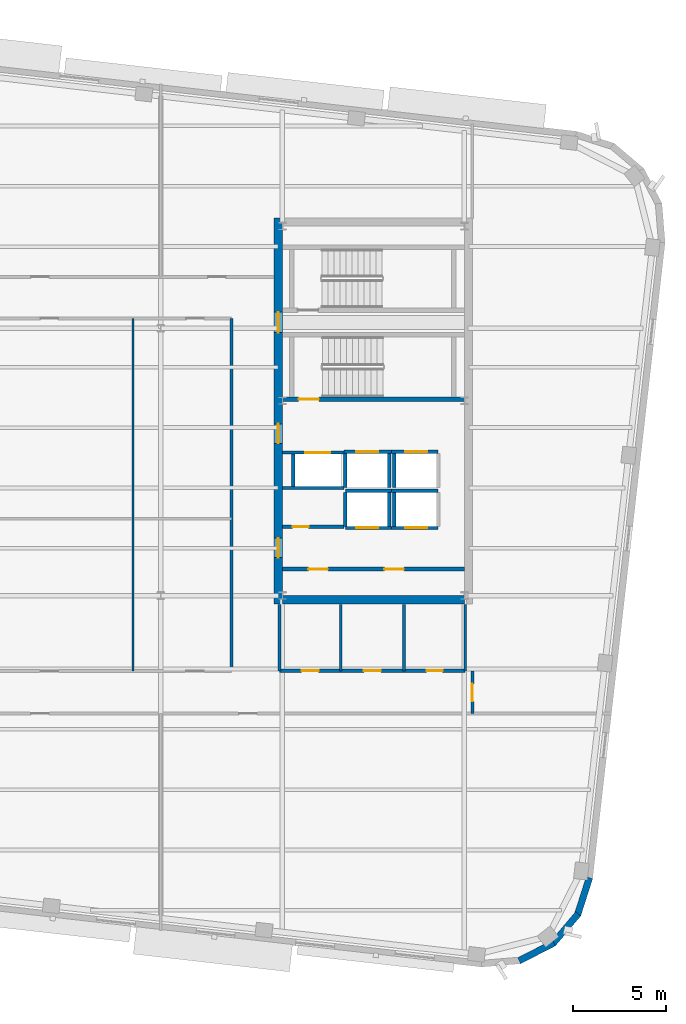
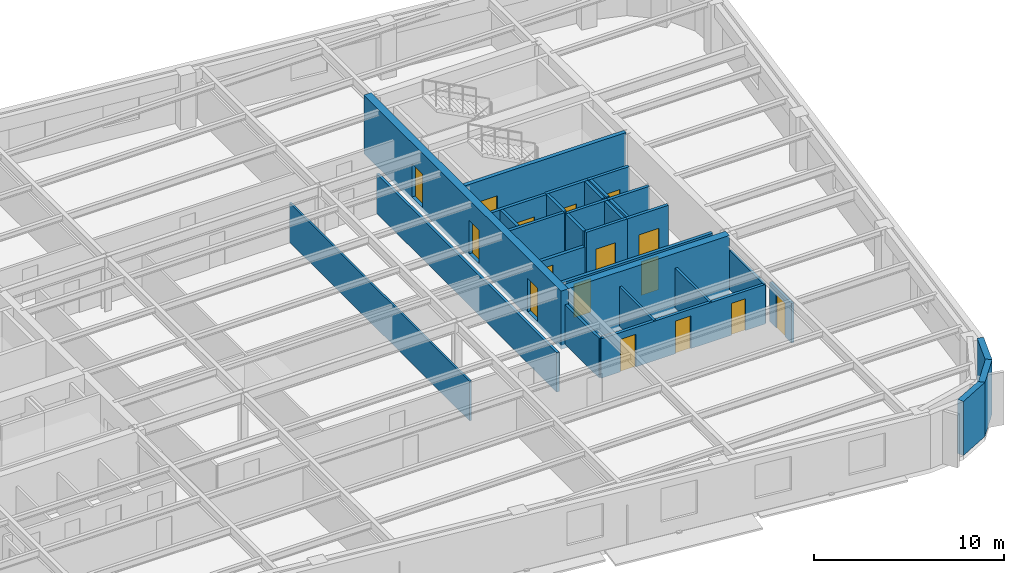
# One storey, part 7 of 14: 31 walls, 16 doors, 16 openings.
"""IFC4 building model written with IfcOpenShell, lengths in metres."""

from ifc_helpers import new_model, si_unit, direction, frame, frame_2d, origin, place, context, subcontext, project, spatial, rectangle, extrude, material, layer, layer_set, type_object, element, fill, save


model = new_model("IFC4")

# Units and contexts
model_context = context("Model", 3, precision=1e-05, world=origin(), true_north=direction((0.0, 1.0)))
body_context = subcontext(model_context, "Body", "Model", "MODEL_VIEW")
ifc_project = project(units=[si_unit("LENGTHUNIT", "METRE"), si_unit("AREAUNIT", "SQUARE_METRE"), si_unit("VOLUMEUNIT", "CUBIC_METRE"), si_unit("PLANEANGLEUNIT", "RADIAN"), si_unit("MASSUNIT", "GRAM", prefix="KILO")], contexts=[model_context])

# Site, building, storey
site_placement = place(None, origin())
site = spatial("IfcSite", under=ifc_project, at=site_placement, CompositionType="ELEMENT")
building_placement = place(site_placement, origin())
building = spatial("IfcBuilding", under=site, at=building_placement, Name="Kolvaren Arena Tower", CompositionType="ELEMENT")
storey_placement = place(building_placement, frame((0.0, 0.0, 247.199951171875)))
storey = spatial("IfcBuildingStorey", under=building, at=storey_placement, Name="L60", CompositionType="ELEMENT", Elevation=247.199951171875)

# Wall
ifc_material_1 = material(Name="Gypsum board acoustic assembly", Category="gypsum")
ifc_layer_1 = layer(ifc_material_1, 0.159912109375)
ifc_layer_set_1 = layer_set([ifc_layer_1], Name="Gypsum board acoustic assembly")
wall_type_1 = type_object("IfcWallType", Name="CORR-160", PredefinedType="PARTITIONING", material=ifc_layer_set_1)
wall_1_placement = place(storey_placement, frame((47.820068359375, 15.3798828125, 0.0), z_axis=(0.0, 0.0, 1.0), x_axis=(0.0, 1.0, 0.0)))
element("IfcWall", 1, at=wall_1_placement, inside=storey, type_object=wall_type_1, Name="Interior Partition Wall (L60)", PredefinedType="PARTITIONING", context=body_context, shape_type="SweptSolid", body=[
    extrude(rectangle(XDim=19.0, YDim=0.159912109375, at=frame_2d((9.5, 0.0))), origin(), (0.0, 0.0, 1.0), 2.5400390625),
])

# Wall, opening, door
wall_2_placement = place(storey_placement, frame((60.780029296875, 13.10009765625, 0.0), z_axis=(0.0, 0.0, 1.0), x_axis=(0.0, 1.0, 0.0)))
wall_2 = element("IfcWall", 2, at=wall_2_placement, inside=storey, type_object=wall_type_1, Name="Interior Partition Wall (L60)", PredefinedType="PARTITIONING", context=body_context, shape_type="SweptSolid", body=[
    extrude(rectangle(XDim=2.2998046875, YDim=0.159912109375, at=frame_2d((1.14990234375, 0.0))), origin(), (0.0, 0.0, 1.0), 2.5400390625),
])
opening_1_placement = place(wall_2_placement, frame((0.64990234375, 0.0, 0.0)))
opening_1 = element("IfcOpeningElement", 3, at=opening_1_placement, cuts=wall_2, Name="Opening D05", PredefinedType="OPENING", context=body_context, shape_type="SweptSolid", body=[
    extrude(rectangle(XDim=0.949951171875, YDim=2.14990234375, at=frame_2d((0.47509765625, 1.074951171875))), frame((0.0, 0.08984375, 0.0), z_axis=(0.0, -1.0, 0.0), x_axis=(1.0, 0.0, 0.0)), (0.0, 0.0, 1.0), 0.179931640625),
])
ifc_material_2 = material(Name="Solid-core oak acoustic office door", Category="wood")
door_type_1 = type_object("IfcDoorType", Name="DOOR-OF-095", OperationType="NOTDEFINED", PredefinedType="DOOR", material=ifc_material_2)
door_1_placement = place(opening_1_placement, origin())
door_1 = element("IfcDoor", 4, at=door_1_placement, inside=storey, type_object=door_type_1, Name="East Wing Studio Door (L60)", OperationType="SINGLE_SWING_RIGHT", OverallHeight=2.14990234375, OverallWidth=0.949951171875, PredefinedType="DOOR", context=body_context, shape_type="SweptSolid", body=[
    extrude(rectangle(XDim=0.949951171875, YDim=2.14990234375, at=frame_2d((0.47509765625, 1.074951171875))), frame((0.0, 0.02490234375, 0.0), z_axis=(0.0, -1.0, 0.0), x_axis=(1.0, 0.0, 0.0)), (0.0, 0.0, 1.0), 0.050048828125),
])
fill(opening_1, door_1)

# Wall, openings, doors
ifc_material_3 = material(Name="Concrete 55 MPa", Category="concrete")
ifc_layer_2 = layer(ifc_material_3, 0.449951171875)
ifc_layer_set_2 = layer_set([ifc_layer_2], Name="Concrete 55 MPa")
wall_type_2 = type_object("IfcWallType", Name="CWALL-450", PredefinedType="SHEAR", material=ifc_layer_set_2)
wall_3_placement = place(storey_placement, frame((50.324951171875, 19.0, -0.27001953125), z_axis=(0.0, 0.0, 1.0), x_axis=(0.0, 1.0, 0.0)))
wall_3 = element("IfcWall", 5, at=wall_3_placement, inside=storey, type_object=wall_type_2, Name="Core Shear Wall EC-WEST (L60)", PredefinedType="SHEAR", context=body_context, shape_type="SweptSolid", body=[
    extrude(rectangle(XDim=20.800048828125, YDim=0.449951171875, at=frame_2d((10.39990234375, 0.0))), origin(), (0.0, 0.0, 1.0), 3.75),
])
opening_2_placement = place(wall_3_placement, frame((2.5, 0.0, 0.27001953125)))
opening_2 = element("IfcOpeningElement", 6, at=opening_2_placement, cuts=wall_3, Name="Opening D04", PredefinedType="OPENING", context=body_context, shape_type="SweptSolid", body=[
    extrude(rectangle(XDim=1.050048828125, YDim=2.14990234375, at=frame_2d((0.52490234375, 1.074951171875))), frame((0.0, 0.23486328125, 0.0), z_axis=(0.0, -1.0, 0.0), x_axis=(1.0, 0.0, 0.0)), (0.0, 0.0, 1.0), 0.469970703125),
])
opening_3_placement = place(wall_3_placement, frame((8.64990234375, 0.0, 0.27001953125)))
opening_3 = element("IfcOpeningElement", 7, at=opening_3_placement, cuts=wall_3, Name="Opening D04", PredefinedType="OPENING", context=body_context, shape_type="SweptSolid", body=[
    extrude(rectangle(XDim=1.050048828125, YDim=2.14990234375, at=frame_2d((0.52490234375, 1.074951171875))), frame((0.0, 0.23486328125, 0.0), z_axis=(0.0, -1.0, 0.0), x_axis=(1.0, 0.0, 0.0)), (0.0, 0.0, 1.0), 0.469970703125),
])
opening_4_placement = place(wall_3_placement, frame((14.6201171875, 0.0, 0.27001953125)))
opening_4 = element("IfcOpeningElement", 8, at=opening_4_placement, cuts=wall_3, Name="Opening D03", PredefinedType="OPENING", context=body_context, shape_type="SweptSolid", body=[
    extrude(rectangle(XDim=1.10009765625, YDim=2.14990234375, at=frame_2d((0.550048828125, 1.074951171875))), frame((0.0, 0.23486328125, 0.0), z_axis=(0.0, -1.0, 0.0), x_axis=(1.0, 0.0, 0.0)), (0.0, 0.0, 1.0), 0.469970703125),
])
ifc_material_4 = material(Name="Fire-rated steel lobby door", Category="steel")
door_type_2 = type_object("IfcDoorType", Name="DOOR-FF-105", OperationType="NOTDEFINED", PredefinedType="DOOR", material=ifc_material_4)
door_2_placement = place(opening_2_placement, origin())
door_2 = element("IfcDoor", 9, at=door_2_placement, inside=storey, type_object=door_type_2, Name="East Lift Lobby Fire Door (L60)", OperationType="SINGLE_SWING_RIGHT", OverallHeight=2.14990234375, OverallWidth=1.050048828125, PredefinedType="DOOR", context=body_context, shape_type="SweptSolid", body=[
    extrude(rectangle(XDim=1.050048828125, YDim=2.14990234375, at=frame_2d((0.52490234375, 1.074951171875))), frame((0.0, 0.02490234375, 0.0), z_axis=(0.0, -1.0, 0.0), x_axis=(1.0, 0.0, 0.0)), (0.0, 0.0, 1.0), 0.050048828125),
])
fill(opening_2, door_2)
door_3_placement = place(opening_3_placement, origin())
door_3 = element("IfcDoor", 10, at=door_3_placement, inside=storey, type_object=door_type_2, Name="East Firefighter Vestibule Door (L60)", OperationType="SINGLE_SWING_LEFT", OverallHeight=2.14990234375, OverallWidth=1.050048828125, PredefinedType="DOOR", context=body_context, shape_type="SweptSolid", body=[
    extrude(rectangle(XDim=1.050048828125, YDim=2.14990234375, at=frame_2d((0.52490234375, 1.074951171875))), frame((0.0, 0.02490234375, 0.0), z_axis=(0.0, -1.0, 0.0), x_axis=(1.0, 0.0, 0.0)), (0.0, 0.0, 1.0), 0.050048828125),
])
fill(opening_3, door_3)
ifc_material_5 = material(Name="Fire-rated steel exit stair door", Category="steel")
door_type_3 = type_object("IfcDoorType", Name="DOOR-ST-110", OperationType="NOTDEFINED", PredefinedType="DOOR", material=ifc_material_5)
door_4_placement = place(opening_4_placement, origin())
door_4 = element("IfcDoor", 11, at=door_4_placement, inside=storey, type_object=door_type_3, Name="Stair ST-E2 Vestibule Fire Door (L60)", OperationType="SINGLE_SWING_LEFT", OverallHeight=2.14990234375, OverallWidth=1.10009765625, PredefinedType="DOOR", context=body_context, shape_type="SweptSolid", body=[
    extrude(rectangle(XDim=1.10009765625, YDim=2.14990234375, at=frame_2d((0.550048828125, 1.074951171875))), frame((0.0, 0.02490234375, 0.0), z_axis=(0.0, -1.0, 0.0), x_axis=(1.0, 0.0, 0.0)), (0.0, 0.0, 1.0), 0.050048828125),
])
fill(opening_4, door_4)

# Walls
wall_4_placement = place(storey_placement, frame((50.550048828125, 19.22509765625, -0.27001953125), z_axis=(0.0, 0.0, 1.0), x_axis=(1.0, 0.0, 0.0)))
element("IfcWall", 12, at=wall_4_placement, inside=storey, type_object=wall_type_2, Name="Core Shear Wall EC-SOUTH (L60)", PredefinedType="SHEAR", context=body_context, shape_type="SweptSolid", body=[
    extrude(rectangle(XDim=9.800048828125, YDim=0.449951171875, at=frame_2d((4.89990234375, 0.0))), origin(), (0.0, 0.0, 1.0), 3.75),
])
ifc_material_6 = material(Name="Precast concrete C50/60", Category="concrete")
ifc_layer_3 = layer(ifc_material_6, 0.360107421875)
ifc_layer_set_3 = layer_set([ifc_layer_3], Name="Precast concrete C50/60")
wall_type_3 = type_object("IfcWallType", Name="EXT-PIER2", PredefinedType="SOLIDWALL", material=ifc_layer_set_3)
for number, where, z_axis, x_axis, name in (
    (13, (65.176025390625, 0.745849609375, 0.0), (0.0, 0.0, 1.0), (-0.888985992199, -0.457934390142, 0.0), "Exterior Precast Masonry-Frame Wall (L60)"),
    (14, (66.482421875, 2.310302734375, 0.0), (0.0, 0.0, 1.0), (-0.646103249464, -0.763250018691, 0.0), "Exterior Precast Masonry-Frame Wall (L60)"),
):
    element("IfcWall", number, at=place(storey_placement, frame(where, z_axis=z_axis, x_axis=x_axis)), inside=storey, type_object=wall_type_3, Name=name, PredefinedType="SOLIDWALL", context=body_context, shape_type="SweptSolid", body=[
        extrude(rectangle(XDim=2.10693359375, YDim=0.360107421875, at=frame_2d((1.053466796875, 0.0))), origin(), (0.0, 0.0, 1.0), 3.47998046875),
    ])
wall_5_placement = place(storey_placement, frame((67.0908203125, 4.255615234375, 0.0), z_axis=(0.0, 0.0, 1.0), x_axis=(-0.304838787518, -0.952403965565, 0.0)))
element("IfcWall", 15, at=wall_5_placement, inside=storey, type_object=wall_type_3, Name="Exterior Precast Masonry-Frame Wall (L60)", PredefinedType="SOLIDWALL", context=body_context, shape_type="SweptSolid", body=[
    extrude(rectangle(XDim=2.107177734375, YDim=0.360107421875, at=frame_2d((1.0537109375, 0.0))), origin(), (0.0, 0.0, 1.0), 3.47998046875),
])

# Wall, openings, doors
ifc_material_7 = material(Name="Concrete 40 MPa", Category="concrete")
ifc_layer_4 = layer(ifc_material_7, 0.199951171875)
ifc_layer_set_4 = layer_set([ifc_layer_4], Name="Concrete 40 MPa")
wall_type_4 = type_object("IfcWallType", Name="LOBBY-200", PredefinedType="SOLIDWALL", material=ifc_layer_set_4)
wall_6_placement = place(storey_placement, frame((50.550048828125, 20.8798828125, 0.0), z_axis=(0.0, 0.0, 1.0), x_axis=(1.0, 0.0, 0.0)))
wall_6 = element("IfcWall", 16, at=wall_6_placement, inside=storey, type_object=wall_type_4, Name="Core Shaft Wall (L60)", PredefinedType="SOLIDWALL", context=body_context, shape_type="SweptSolid", body=[
    extrude(rectangle(XDim=9.800048828125, YDim=0.199951171875, at=frame_2d((4.89990234375, 0.0))), origin(), (0.0, 0.0, 1.0), 2.5400390625),
])
opening_5_placement = place(wall_6_placement, frame((1.39990234375, 0.0, 0.0)))
opening_5 = element("IfcOpeningElement", 17, at=opening_5_placement, cuts=wall_6, Name="Opening D04", PredefinedType="OPENING", context=body_context, shape_type="SweptSolid", body=[
    extrude(rectangle(XDim=1.050048828125, YDim=2.14990234375, at=frame_2d((0.52490234375, 1.074951171875))), frame((0.0, 0.10986328125, 0.0), z_axis=(0.0, -1.0, 0.0), x_axis=(1.0, 0.0, 0.0)), (0.0, 0.0, 1.0), 0.219970703125),
])
opening_6_placement = place(wall_6_placement, frame((5.5, 0.0, 0.0)))
opening_6 = element("IfcOpeningElement", 18, at=opening_6_placement, cuts=wall_6, Name="Opening D04", PredefinedType="OPENING", context=body_context, shape_type="SweptSolid", body=[
    extrude(rectangle(XDim=1.050048828125, YDim=2.14990234375, at=frame_2d((0.52490234375, 1.074951171875))), frame((0.0, 0.10986328125, 0.0), z_axis=(0.0, -1.0, 0.0), x_axis=(1.0, 0.0, 0.0)), (0.0, 0.0, 1.0), 0.219970703125),
])
door_5_placement = place(opening_5_placement, origin())
door_5 = element("IfcDoor", 19, at=door_5_placement, inside=storey, type_object=door_type_2, Name="East Telecom Room Fire Door (L60)", OperationType="SINGLE_SWING_RIGHT", OverallHeight=2.14990234375, OverallWidth=1.050048828125, PredefinedType="DOOR", context=body_context, shape_type="SweptSolid", body=[
    extrude(rectangle(XDim=1.050048828125, YDim=2.14990234375, at=frame_2d((0.52490234375, 1.074951171875))), frame((0.0, 0.02490234375, 0.0), z_axis=(0.0, -1.0, 0.0), x_axis=(1.0, 0.0, 0.0)), (0.0, 0.0, 1.0), 0.050048828125),
])
fill(opening_5, door_5)
door_6_placement = place(opening_6_placement, origin())
door_6 = element("IfcDoor", 20, at=door_6_placement, inside=storey, type_object=door_type_2, Name="East Records Room Fire Door (L60)", OperationType="SINGLE_SWING_LEFT", OverallHeight=2.14990234375, OverallWidth=1.050048828125, PredefinedType="DOOR", context=body_context, shape_type="SweptSolid", body=[
    extrude(rectangle(XDim=1.050048828125, YDim=2.14990234375, at=frame_2d((0.52490234375, 1.074951171875))), frame((0.0, 0.02490234375, 0.0), z_axis=(0.0, -1.0, 0.0), x_axis=(1.0, 0.0, 0.0)), (0.0, 0.0, 1.0), 0.050048828125),
])
fill(opening_6, door_6)

# Wall, opening, door
wall_7_placement = place(storey_placement, frame((50.550048828125, 23.159912109375, 0.0), z_axis=(0.0, 0.0, 1.0), x_axis=(1.0, 0.0, 0.0)))
wall_7 = element("IfcWall", 21, at=wall_7_placement, inside=storey, type_object=wall_type_4, Name="Core Shaft Wall (L60)", PredefinedType="SOLIDWALL", context=body_context, shape_type="SweptSolid", body=[
    extrude(rectangle(XDim=3.329833984375, YDim=0.199951171875, at=frame_2d((1.6650390625, 0.0))), origin(), (0.0, 0.0, 1.0), 2.5400390625),
])
opening_7_placement = place(wall_7_placement, frame((0.550048828125, 0.0, 0.0)))
opening_7 = element("IfcOpeningElement", 22, at=opening_7_placement, cuts=wall_7, Name="Opening D09", PredefinedType="OPENING", context=body_context, shape_type="SweptSolid", body=[
    extrude(rectangle(XDim=0.860107421875, YDim=2.050048828125, at=frame_2d((0.43017578125, 1.02490234375))), frame((0.0, 0.10986328125, 0.0), z_axis=(0.0, -1.0, 0.0), x_axis=(1.0, 0.0, 0.0)), (0.0, 0.0, 1.0), 0.219970703125),
])
ifc_material_8 = material(Name="Fire-rated steel riser access door", Category="steel")
door_type_4 = type_object("IfcDoorType", Name="DOOR-RS-086", OperationType="NOTDEFINED", PredefinedType="DOOR", material=ifc_material_8)
door_7_placement = place(opening_7_placement, origin())
door_7 = element("IfcDoor", 23, at=door_7_placement, inside=storey, type_object=door_type_4, Name="East AV Riser Closet Door (L60)", OperationType="SINGLE_SWING_LEFT", OverallHeight=2.050048828125, OverallWidth=0.860107421875, PredefinedType="DOOR", context=body_context, shape_type="SweptSolid", body=[
    extrude(rectangle(XDim=0.860107421875, YDim=2.050048828125, at=frame_2d((0.43017578125, 1.02490234375))), frame((0.0, 0.02490234375, 0.0), z_axis=(0.0, -1.0, 0.0), x_axis=(1.0, 0.0, 0.0)), (0.0, 0.0, 1.0), 0.050048828125),
])
fill(opening_7, door_7)

# Wall
ifc_material_9 = material(Name="Gypsum board partition assembly", Category="gypsum")
ifc_layer_5 = layer(ifc_material_9, 0.114990234375)
ifc_layer_set_5 = layer_set([ifc_layer_5], Name="Gypsum board partition assembly")
wall_type_5 = type_object("IfcWallType", Name="PART-115", PredefinedType="PARTITIONING", material=ifc_layer_set_5)
wall_8_placement = place(storey_placement, frame((42.5, 15.3798828125, 0.0), z_axis=(0.0, 0.0, 1.0), x_axis=(0.0, 1.0, 0.0)))
element("IfcWall", 24, at=wall_8_placement, inside=storey, type_object=wall_type_5, Name="Interior Partition Wall (L60)", PredefinedType="PARTITIONING", context=body_context, shape_type="SweptSolid", body=[
    extrude(rectangle(XDim=19.0, YDim=0.114990234375, at=frame_2d((9.5, 0.0))), origin(), (0.0, 0.0, 1.0), 2.5400390625),
])

# Wall, opening, door
ifc_material_10 = material(Name="Concrete 45 MPa", Category="concrete")
ifc_layer_6 = layer(ifc_material_10, 0.25)
ifc_layer_set_6 = layer_set([ifc_layer_6], Name="Concrete 45 MPa")
wall_type_6 = type_object("IfcWallType", Name="SHAFT-250", PredefinedType="SOLIDWALL", material=ifc_layer_set_6)
wall_9_placement = place(storey_placement, frame((60.35009765625, 30.030029296875, 0.0), z_axis=(0.0, 0.0, 1.0), x_axis=(-1.0, 0.0, 0.0)))
wall_9 = element("IfcWall", 25, at=wall_9_placement, inside=storey, type_object=wall_type_6, Name="Core Shaft Wall (L60)", PredefinedType="SOLIDWALL", context=body_context, shape_type="SweptSolid", body=[
    extrude(rectangle(XDim=9.800048828125, YDim=0.239990234375, at=frame_2d((4.89990234375, 0.0))), origin(), (0.0, 0.0, 1.0), 3.47998046875),
])
opening_8_placement = place(wall_9_placement, frame((7.830078125, 0.0, 0.0)))
opening_8 = element("IfcOpeningElement", 26, at=opening_8_placement, cuts=wall_9, Name="Opening D03", PredefinedType="OPENING", context=body_context, shape_type="SweptSolid", body=[
    extrude(rectangle(XDim=1.10009765625, YDim=2.14990234375, at=frame_2d((0.550048828125, 1.074951171875))), frame((0.0, 0.1298828125, 0.0), z_axis=(0.0, -1.0, 0.0), x_axis=(1.0, 0.0, 0.0)), (0.0, 0.0, 1.0), 0.260009765625),
])
door_8_placement = place(opening_8_placement, origin())
door_8 = element("IfcDoor", 27, at=door_8_placement, inside=storey, type_object=door_type_3, Name="Stair ST-E1 Fire Door (L60)", OperationType="SINGLE_SWING_LEFT", OverallHeight=2.14990234375, OverallWidth=1.10009765625, PredefinedType="DOOR", context=body_context, shape_type="SweptSolid", body=[
    extrude(rectangle(XDim=1.10009765625, YDim=2.14990234375, at=frame_2d((0.550048828125, 1.074951171875))), frame((0.0, 0.02490234375, 0.0), z_axis=(0.0, -1.0, 0.0), x_axis=(1.0, 0.0, 0.0)), (0.0, 0.0, 1.0), 0.050048828125),
])
fill(opening_8, door_8)

# Wall
wall_10_placement = place(storey_placement, frame((53.93994140625, 25.10498046875, 0.0), z_axis=(0.0, 0.0, 1.0), x_axis=(1.0, 0.0, 0.0)))
element("IfcWall", 28, at=wall_10_placement, inside=storey, type_object=wall_type_6, Name="Core Shaft Wall (L60)", PredefinedType="SOLIDWALL", context=body_context, shape_type="SweptSolid", body=[
    extrude(rectangle(XDim=2.5, YDim=0.179931640625, at=frame_2d((1.25, 0.0))), origin(), (0.0, 0.0, 1.0), 3.47998046875),
])

# Wall, opening, door
wall_11_placement = place(storey_placement, frame((53.93994140625, 23.094970703125, 0.0), z_axis=(0.0, 0.0, 1.0), x_axis=(1.0, 0.0, 0.0)))
wall_11 = element("IfcWall", 29, at=wall_11_placement, inside=storey, type_object=wall_type_6, Name="Core Shaft Wall (L60)", PredefinedType="SOLIDWALL", context=body_context, shape_type="SweptSolid", body=[
    extrude(rectangle(XDim=2.5, YDim=0.179931640625, at=frame_2d((1.25, 0.0))), origin(), (0.0, 0.0, 1.0), 3.47998046875),
])
opening_9_placement = place(wall_11_placement, frame((0.580078125, 0.0, 0.0)))
opening_9 = element("IfcOpeningElement", 30, at=opening_9_placement, cuts=wall_11, Name="Opening LD1", PredefinedType="OPENING", context=body_context, shape_type="SweptSolid", body=[
    extrude(rectangle(XDim=1.199951171875, YDim=2.199951171875, at=frame_2d((0.60009765625, 1.10009765625))), frame((0.0, 0.099853515625, 0.0), z_axis=(0.0, -1.0, 0.0), x_axis=(1.0, 0.0, 0.0)), (0.0, 0.0, 1.0), 0.199951171875),
])
ifc_material_11 = material(Name="Stainless steel passenger lift landing door", Category="steel")
door_type_5 = type_object("IfcDoorType", Name="DOOR-LD-120", OperationType="DOUBLE_DOOR_SLIDING", PredefinedType="DOOR", material=ifc_material_11)
door_9_placement = place(opening_9_placement, origin())
door_9 = element("IfcDoor", 31, at=door_9_placement, inside=storey, type_object=door_type_5, Name="Lift EL-HR1 Landing Door (L60)", OperationType="DOUBLE_DOOR_SLIDING", OverallHeight=2.199951171875, OverallWidth=1.199951171875, PredefinedType="DOOR", context=body_context, shape_type="SweptSolid", body=[
    extrude(rectangle(XDim=1.199951171875, YDim=2.199951171875, at=frame_2d((0.60009765625, 1.10009765625))), frame((0.0, 0.02490234375, 0.0), z_axis=(0.0, -1.0, 0.0), x_axis=(1.0, 0.0, 0.0)), (0.0, 0.0, 1.0), 0.050048828125),
])
fill(opening_9, door_9)

# Walls
for number, where, z_axis, x_axis, name in (
    (32, (53.93994140625, 23.18505859375, 0.0), (0.0, 0.0, 1.0), (0.0, 1.0, 0.0), "Core Shaft Wall (L60)"),
    (33, (56.300048828125, 23.18505859375, 0.0), (0.0, 0.0, 1.0), (0.0, 1.0, 0.0), "Core Shaft Wall (L60)"),
):
    element("IfcWall", number, at=place(storey_placement, frame(where, z_axis=z_axis, x_axis=x_axis)), inside=storey, type_object=wall_type_6, Name=name, PredefinedType="SOLIDWALL", context=body_context, shape_type="SweptSolid", body=[
        extrude(rectangle(XDim=1.829833984375, YDim=0.179931640625, at=frame_2d((0.9150390625, 0.0))), origin(), (0.0, 0.0, 1.0), 3.47998046875),
    ])
wall_12_placement = place(storey_placement, frame((56.43994140625, 25.10498046875, 0.0), z_axis=(0.0, 0.0, 1.0), x_axis=(1.0, 0.0, 0.0)))
element("IfcWall", 34, at=wall_12_placement, inside=storey, type_object=wall_type_6, Name="Core Shaft Wall (L60)", PredefinedType="SOLIDWALL", context=body_context, shape_type="SweptSolid", body=[
    extrude(rectangle(XDim=2.5, YDim=0.179931640625, at=frame_2d((1.25, 0.0))), origin(), (0.0, 0.0, 1.0), 3.47998046875),
])

# Wall, opening, door
wall_13_placement = place(storey_placement, frame((56.43994140625, 23.094970703125, 0.0), z_axis=(0.0, 0.0, 1.0), x_axis=(1.0, 0.0, 0.0)))
wall_13 = element("IfcWall", 35, at=wall_13_placement, inside=storey, type_object=wall_type_6, Name="Core Shaft Wall (L60)", PredefinedType="SOLIDWALL", context=body_context, shape_type="SweptSolid", body=[
    extrude(rectangle(XDim=2.5, YDim=0.179931640625, at=frame_2d((1.25, 0.0))), origin(), (0.0, 0.0, 1.0), 3.47998046875),
])
opening_10_placement = place(wall_13_placement, frame((0.719970703125, 0.0, 0.0)))
opening_10 = element("IfcOpeningElement", 36, at=opening_10_placement, cuts=wall_13, Name="Opening LD1", PredefinedType="OPENING", context=body_context, shape_type="SweptSolid", body=[
    extrude(rectangle(XDim=1.199951171875, YDim=2.199951171875, at=frame_2d((0.60009765625, 1.10009765625))), frame((0.0, 0.099853515625, 0.0), z_axis=(0.0, -1.0, 0.0), x_axis=(1.0, 0.0, 0.0)), (0.0, 0.0, 1.0), 0.199951171875),
])
door_10_placement = place(opening_10_placement, origin())
door_10 = element("IfcDoor", 37, at=door_10_placement, inside=storey, type_object=door_type_5, Name="Lift EL-HR2 Landing Door (L60)", OperationType="DOUBLE_DOOR_SLIDING", OverallHeight=2.199951171875, OverallWidth=1.199951171875, PredefinedType="DOOR", context=body_context, shape_type="SweptSolid", body=[
    extrude(rectangle(XDim=1.199951171875, YDim=2.199951171875, at=frame_2d((0.60009765625, 1.10009765625))), frame((0.0, 0.02490234375, 0.0), z_axis=(0.0, -1.0, 0.0), x_axis=(1.0, 0.0, 0.0)), (0.0, 0.0, 1.0), 0.050048828125),
])
fill(opening_10, door_10)

# Wall
wall_14_placement = place(storey_placement, frame((56.580078125, 23.18505859375, 0.0), z_axis=(0.0, 0.0, 1.0), x_axis=(0.0, 1.0, 0.0)))
element("IfcWall", 38, at=wall_14_placement, inside=storey, type_object=wall_type_6, Name="Core Shaft Wall (L60)", PredefinedType="SOLIDWALL", context=body_context, shape_type="SweptSolid", body=[
    extrude(rectangle(XDim=1.829833984375, YDim=0.179931640625, at=frame_2d((0.9150390625, 0.0))), origin(), (0.0, 0.0, 1.0), 3.47998046875),
])

# Wall, opening, door
wall_15_placement = place(storey_placement, frame((53.864990234375, 27.205078125, 0.0), z_axis=(0.0, 0.0, 1.0), x_axis=(1.0, 0.0, 0.0)))
wall_15 = element("IfcWall", 39, at=wall_15_placement, inside=storey, type_object=wall_type_6, Name="Core Shaft Wall (L60)", PredefinedType="SOLIDWALL", context=body_context, shape_type="SweptSolid", body=[
    extrude(rectangle(XDim=2.574951171875, YDim=0.179931640625, at=frame_2d((1.28759765625, 0.0))), origin(), (0.0, 0.0, 1.0), 3.47998046875),
])
opening_11_placement = place(wall_15_placement, frame((0.655029296875, 0.0, 0.0)))
opening_11 = element("IfcOpeningElement", 40, at=opening_11_placement, cuts=wall_15, Name="Opening LD1", PredefinedType="OPENING", context=body_context, shape_type="SweptSolid", body=[
    extrude(rectangle(XDim=1.199951171875, YDim=2.199951171875, at=frame_2d((0.60009765625, 1.10009765625))), frame((0.0, 0.099853515625, 0.0), z_axis=(0.0, -1.0, 0.0), x_axis=(1.0, 0.0, 0.0)), (0.0, 0.0, 1.0), 0.199951171875),
])
door_11_placement = place(opening_11_placement, origin())
door_11 = element("IfcDoor", 41, at=door_11_placement, inside=storey, type_object=door_type_5, Name="Lift EL-HR3 Landing Door (L60)", OperationType="DOUBLE_DOOR_SLIDING", OverallHeight=2.199951171875, OverallWidth=1.199951171875, PredefinedType="DOOR", context=body_context, shape_type="SweptSolid", body=[
    extrude(rectangle(XDim=1.199951171875, YDim=2.199951171875, at=frame_2d((0.60009765625, 1.10009765625))), frame((0.0, 0.02490234375, 0.0), z_axis=(0.0, -1.0, 0.0), x_axis=(1.0, 0.0, 0.0)), (0.0, 0.0, 1.0), 0.050048828125),
])
fill(opening_11, door_11)

# Walls
for number, where, z_axis, x_axis, name in (
    (42, (53.93994140625, 25.284912109375, 0.0), (0.0, 0.0, 1.0), (0.0, 1.0, 0.0), "Core Shaft Wall (L60)"),
    (43, (56.300048828125, 25.284912109375, 0.0), (0.0, 0.0, 1.0), (0.0, 1.0, 0.0), "Core Shaft Wall (L60)"),
):
    element("IfcWall", number, at=place(storey_placement, frame(where, z_axis=z_axis, x_axis=x_axis)), inside=storey, type_object=wall_type_6, Name=name, PredefinedType="SOLIDWALL", context=body_context, shape_type="SweptSolid", body=[
        extrude(rectangle(XDim=1.830078125, YDim=0.179931640625, at=frame_2d((0.9150390625, 0.0))), origin(), (0.0, 0.0, 1.0), 3.47998046875),
    ])

# Wall, opening, door
wall_16_placement = place(storey_placement, frame((56.43994140625, 27.205078125, 0.0), z_axis=(0.0, 0.0, 1.0), x_axis=(1.0, 0.0, 0.0)))
wall_16 = element("IfcWall", 44, at=wall_16_placement, inside=storey, type_object=wall_type_6, Name="Core Shaft Wall (L60)", PredefinedType="SOLIDWALL", context=body_context, shape_type="SweptSolid", body=[
    extrude(rectangle(XDim=2.5, YDim=0.179931640625, at=frame_2d((1.25, 0.0))), origin(), (0.0, 0.0, 1.0), 3.47998046875),
])
opening_12_placement = place(wall_16_placement, frame((0.719970703125, 0.0, 0.0)))
opening_12 = element("IfcOpeningElement", 45, at=opening_12_placement, cuts=wall_16, Name="Opening LD1", PredefinedType="OPENING", context=body_context, shape_type="SweptSolid", body=[
    extrude(rectangle(XDim=1.199951171875, YDim=2.199951171875, at=frame_2d((0.60009765625, 1.10009765625))), frame((0.0, 0.099853515625, 0.0), z_axis=(0.0, -1.0, 0.0), x_axis=(1.0, 0.0, 0.0)), (0.0, 0.0, 1.0), 0.199951171875),
])
door_12_placement = place(opening_12_placement, origin())
door_12 = element("IfcDoor", 46, at=door_12_placement, inside=storey, type_object=door_type_5, Name="Lift EL-HR4 Landing Door (L60)", OperationType="DOUBLE_DOOR_SLIDING", OverallHeight=2.199951171875, OverallWidth=1.199951171875, PredefinedType="DOOR", context=body_context, shape_type="SweptSolid", body=[
    extrude(rectangle(XDim=1.199951171875, YDim=2.199951171875, at=frame_2d((0.60009765625, 1.10009765625))), frame((0.0, 0.02490234375, 0.0), z_axis=(0.0, -1.0, 0.0), x_axis=(1.0, 0.0, 0.0)), (0.0, 0.0, 1.0), 0.050048828125),
])
fill(opening_12, door_12)

# Wall
wall_17_placement = place(storey_placement, frame((56.580078125, 25.284912109375, 0.0), z_axis=(0.0, 0.0, 1.0), x_axis=(0.0, 1.0, 0.0)))
element("IfcWall", 47, at=wall_17_placement, inside=storey, type_object=wall_type_6, Name="Core Shaft Wall (L60)", PredefinedType="SOLIDWALL", context=body_context, shape_type="SweptSolid", body=[
    extrude(rectangle(XDim=1.830078125, YDim=0.179931640625, at=frame_2d((0.9150390625, 0.0))), origin(), (0.0, 0.0, 1.0), 3.47998046875),
])

# Wall, opening, door
wall_18_placement = place(storey_placement, frame((50.550048828125, 27.155029296875, 0.0), z_axis=(0.0, 0.0, 1.0), x_axis=(1.0, 0.0, 0.0)))
wall_18 = element("IfcWall", 48, at=wall_18_placement, inside=storey, type_object=wall_type_6, Name="Core Shaft Wall (L60)", PredefinedType="SOLIDWALL", context=body_context, shape_type="SweptSolid", body=[
    extrude(rectangle(XDim=3.31494140625, YDim=0.179931640625, at=frame_2d((1.657470703125, 0.0))), origin(), (0.0, 0.0, 1.0), 3.47998046875),
])
opening_13_placement = place(wall_18_placement, frame((1.235107421875, 0.0, 0.0)))
opening_13 = element("IfcOpeningElement", 49, at=opening_13_placement, cuts=wall_18, Name="Opening LD2", PredefinedType="OPENING", context=body_context, shape_type="SweptSolid", body=[
    extrude(rectangle(XDim=1.35009765625, YDim=2.300048828125, at=frame_2d((0.675048828125, 1.14990234375))), frame((0.0, 0.099853515625, 0.0), z_axis=(0.0, -1.0, 0.0), x_axis=(1.0, 0.0, 0.0)), (0.0, 0.0, 1.0), 0.199951171875),
])
ifc_material_12 = material(Name="Stainless steel firefighter lift landing door", Category="steel")
door_type_6 = type_object("IfcDoorType", Name="DOOR-LD-135", OperationType="DOUBLE_DOOR_SLIDING", PredefinedType="DOOR", material=ifc_material_12)
door_13_placement = place(opening_13_placement, origin())
door_13 = element("IfcDoor", 50, at=door_13_placement, inside=storey, type_object=door_type_6, Name="Firefighter Lift FF-E1 Landing Door (L60)", OperationType="DOUBLE_DOOR_SLIDING", OverallHeight=2.300048828125, OverallWidth=1.35009765625, PredefinedType="DOOR", context=body_context, shape_type="SweptSolid", body=[
    extrude(rectangle(XDim=1.35009765625, YDim=2.300048828125, at=frame_2d((0.675048828125, 1.14990234375))), frame((0.0, 0.02490234375, 0.0), z_axis=(0.0, -1.0, 0.0), x_axis=(1.0, 0.0, 0.0)), (0.0, 0.0, 1.0), 0.050048828125),
])
fill(opening_13, door_13)

# Walls
wall_19_placement = place(storey_placement, frame((50.550048828125, 25.2451171875, 0.0), z_axis=(0.0, 0.0, 1.0), x_axis=(1.0, 0.0, 0.0)))
element("IfcWall", 51, at=wall_19_placement, inside=storey, type_object=wall_type_6, Name="Core Shaft Wall (L60)", PredefinedType="SOLIDWALL", context=body_context, shape_type="SweptSolid", body=[
    extrude(rectangle(XDim=3.31494140625, YDim=0.179931640625, at=frame_2d((1.657470703125, 0.0))), origin(), (0.0, 0.0, 1.0), 3.47998046875),
])
wall_20_placement = place(storey_placement, frame((51.1298828125, 25.3349609375, 0.0), z_axis=(0.0, 0.0, 1.0), x_axis=(0.0, 1.0, 0.0)))
element("IfcWall", 52, at=wall_20_placement, inside=storey, type_object=wall_type_6, Name="Core Shaft Wall (L60)", PredefinedType="SOLIDWALL", context=body_context, shape_type="SweptSolid", body=[
    extrude(rectangle(XDim=1.72998046875, YDim=0.179931640625, at=frame_2d((0.864990234375, 0.0))), origin(), (0.0, 0.0, 1.0), 3.47998046875),
])

# Wall, openings, doors
wall_21_placement = place(storey_placement, frame((50.39990234375, 15.39990234375, 0.0), z_axis=(0.0, 0.0, 1.0), x_axis=(1.0, 0.0, 0.0)))
wall_21 = element("IfcWall", 53, at=wall_21_placement, inside=storey, type_object=wall_type_6, Name="Interior Partition Wall (L60)", PredefinedType="SOLIDWALL", context=body_context, shape_type="SweptSolid", body=[
    extrude(rectangle(XDim=10.0, YDim=0.179931640625, at=frame_2d((5.0, 0.0))), origin(), (0.0, 0.0, 1.0), 2.5400390625),
])
opening_14_placement = place(wall_21_placement, frame((1.18994140625, 0.0, 0.0)))
opening_14 = element("IfcOpeningElement", 54, at=opening_14_placement, cuts=wall_21, Name="Opening D07", PredefinedType="OPENING", context=body_context, shape_type="SweptSolid", body=[
    extrude(rectangle(XDim=0.919921875, YDim=2.10009765625, at=frame_2d((0.4599609375, 1.050048828125))), frame((0.0, 0.099853515625, 0.0), z_axis=(0.0, -1.0, 0.0), x_axis=(1.0, 0.0, 0.0)), (0.0, 0.0, 1.0), 0.199951171875),
])
opening_15_placement = place(wall_21_placement, frame((4.5400390625, 0.0, 0.0)))
opening_15 = element("IfcOpeningElement", 55, at=opening_15_placement, cuts=wall_21, Name="Opening D07", PredefinedType="OPENING", context=body_context, shape_type="SweptSolid", body=[
    extrude(rectangle(XDim=0.919921875, YDim=2.10009765625, at=frame_2d((0.4599609375, 1.050048828125))), frame((0.0, 0.099853515625, 0.0), z_axis=(0.0, -1.0, 0.0), x_axis=(1.0, 0.0, 0.0)), (0.0, 0.0, 1.0), 0.199951171875),
])
opening_16_placement = place(wall_21_placement, frame((7.919921875, 0.0, 0.0)))
opening_16 = element("IfcOpeningElement", 56, at=opening_16_placement, cuts=wall_21, Name="Opening D09", PredefinedType="OPENING", context=body_context, shape_type="SweptSolid", body=[
    extrude(rectangle(XDim=0.860107421875, YDim=2.050048828125, at=frame_2d((0.43017578125, 1.02490234375))), frame((0.0, 0.099853515625, 0.0), z_axis=(0.0, -1.0, 0.0), x_axis=(1.0, 0.0, 0.0)), (0.0, 0.0, 1.0), 0.199951171875),
])
door_14_placement = place(opening_16_placement, origin())
door_14 = element("IfcDoor", 57, at=door_14_placement, inside=storey, type_object=door_type_4, Name="Mechanical Riser Closet Door (L60)", OperationType="SINGLE_SWING_RIGHT", OverallHeight=2.050048828125, OverallWidth=0.860107421875, PredefinedType="DOOR", context=body_context, shape_type="SweptSolid", body=[
    extrude(rectangle(XDim=0.860107421875, YDim=2.050048828125, at=frame_2d((0.43017578125, 1.02490234375))), frame((0.0, 0.02490234375, 0.0), z_axis=(0.0, -1.0, 0.0), x_axis=(1.0, 0.0, 0.0)), (0.0, 0.0, 1.0), 0.050048828125),
])
fill(opening_16, door_14)
ifc_material_13 = material(Name="Laminate universal washroom door", Category="wood")
door_type_7 = type_object("IfcDoorType", Name="DOOR-WC-092", OperationType="NOTDEFINED", PredefinedType="DOOR", material=ifc_material_13)
door_15_placement = place(opening_14_placement, origin())
door_15 = element("IfcDoor", 58, at=door_15_placement, inside=storey, type_object=door_type_7, Name="Staff Pantry Door (L60)", OperationType="SINGLE_SWING_RIGHT", OverallHeight=2.10009765625, OverallWidth=0.919921875, PredefinedType="DOOR", context=body_context, shape_type="SweptSolid", body=[
    extrude(rectangle(XDim=0.919921875, YDim=2.10009765625, at=frame_2d((0.4599609375, 1.050048828125))), frame((0.0, 0.02490234375, 0.0), z_axis=(0.0, -1.0, 0.0), x_axis=(1.0, 0.0, 0.0)), (0.0, 0.0, 1.0), 0.050048828125),
])
fill(opening_14, door_15)
door_16_placement = place(opening_15_placement, origin())
door_16 = element("IfcDoor", 59, at=door_16_placement, inside=storey, type_object=door_type_7, Name="Gender-Neutral Washroom Door (L60)", OperationType="SINGLE_SWING_LEFT", OverallHeight=2.10009765625, OverallWidth=0.919921875, PredefinedType="DOOR", context=body_context, shape_type="SweptSolid", body=[
    extrude(rectangle(XDim=0.919921875, YDim=2.10009765625, at=frame_2d((0.4599609375, 1.050048828125))), frame((0.0, 0.02490234375, 0.0), z_axis=(0.0, -1.0, 0.0), x_axis=(1.0, 0.0, 0.0)), (0.0, 0.0, 1.0), 0.050048828125),
])
fill(opening_15, door_16)

# Walls
ifc_material_14 = material(Name="Moisture-resistant gypsum assembly", Category="gypsum")
ifc_layer_7 = layer(ifc_material_14, 0.14990234375)
ifc_layer_set_7 = layer_set([ifc_layer_7], Name="Moisture-resistant gypsum assembly")
wall_type_7 = type_object("IfcWallType", Name="WETW-150", PredefinedType="PARTITIONING", material=ifc_layer_set_7)
for number, where, z_axis, x_axis, name in (
    (60, (53.699951171875, 15.39990234375, 0.0), (0.0, 0.0, 1.0), (0.0, 1.0, 0.0), "Interior Partition Wall (L60)"),
    (61, (57.10009765625, 15.39990234375, 0.0), (0.0, 0.0, 1.0), (0.0, 1.0, 0.0), "Interior Partition Wall (L60)"),
    (62, (50.39990234375, 15.39990234375, 0.0), (0.0, 0.0, 1.0), (0.0, 1.0, 0.0), "Interior Partition Wall (L60)"),
    (63, (60.39990234375, 15.39990234375, 0.0), (0.0, 0.0, 1.0), (0.0, 1.0, 0.0), "Interior Partition Wall (L60)"),
):
    element("IfcWall", number, at=place(storey_placement, frame(where, z_axis=z_axis, x_axis=x_axis)), inside=storey, type_object=wall_type_7, Name=name, PredefinedType="PARTITIONING", context=body_context, shape_type="SweptSolid", body=[
        extrude(rectangle(XDim=3.580078125, YDim=0.14990234375, at=frame_2d((1.7900390625, 0.0))), origin(), (0.0, 0.0, 1.0), 2.5400390625),
    ])

save(model, "model.ifc")
